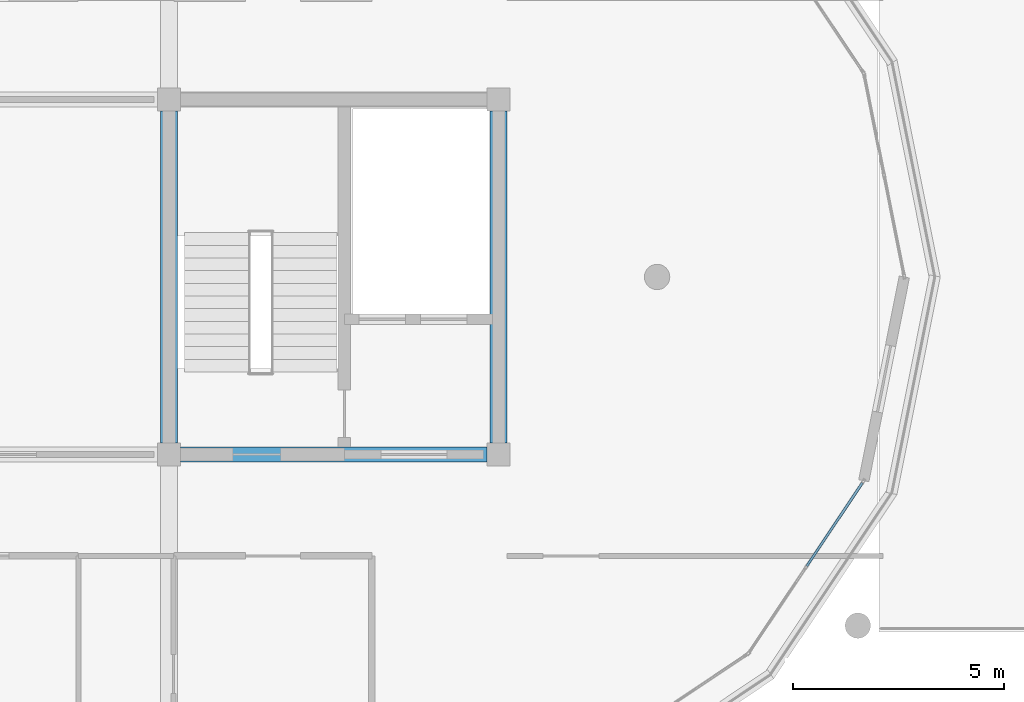
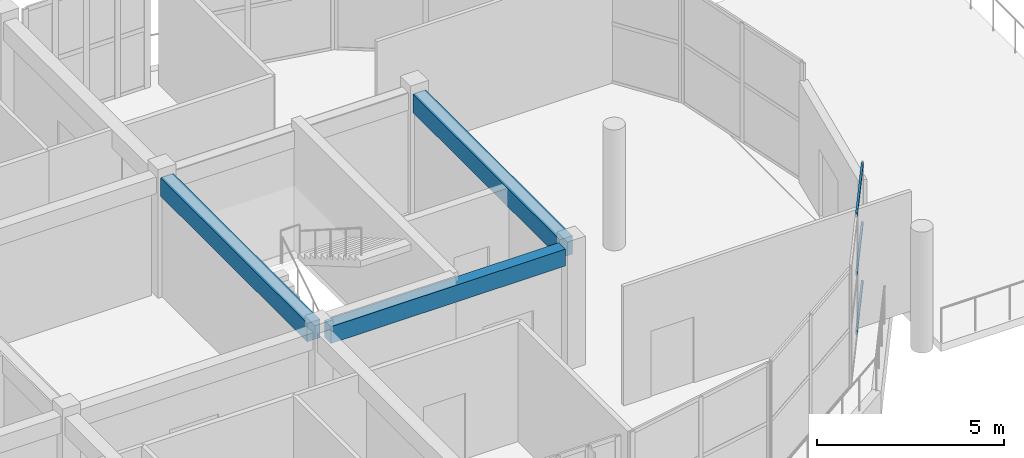
# One storey, part 21 of 44: 3 beams, 3 members, 1 element without a shape of its own.
"""IFC4 building model written with IfcOpenShell, lengths in metres."""

from ifc_helpers import new_model, si_unit, direction, frame, origin, origin_2d, place, context, subcontext, project, spatial, rectangle, hollow_rectangle, extrude, material, layer, layer_set, material_profile, profile_set, type_object, element, aggregate, save


model = new_model("IFC4")

# Units and contexts
model_context = context("Model", 3, precision=1e-05, world=origin(), true_north=direction((0.0, 1.0)))
body_context = subcontext(model_context, "Body", "Model", "MODEL_VIEW")
ifc_project = project(units=[si_unit("LENGTHUNIT", "METRE"), si_unit("AREAUNIT", "SQUARE_METRE"), si_unit("VOLUMEUNIT", "CUBIC_METRE"), si_unit("PLANEANGLEUNIT", "RADIAN"), si_unit("MASSUNIT", "GRAM", prefix="KILO")], contexts=[model_context])

# Site, building, storey
site_placement = place(None, origin())
site = spatial("IfcSite", under=ifc_project, at=site_placement, CompositionType="ELEMENT")
building_placement = place(site_placement, origin())
building = spatial("IfcBuilding", under=site, at=building_placement, Name="Zizhar Promenade General Hospital", CompositionType="ELEMENT")
storey_placement = place(building_placement, frame((0.0, 0.0, 34.800048828125)))
storey = spatial("IfcBuildingStorey", under=building, at=storey_placement, Name="L08", CompositionType="ELEMENT", Elevation=34.800048828125)

# Beams
ifc_material_1 = material(Name="Concrete C35/45", Category="concrete")
ifc_material_profile_1 = material_profile(ifc_material_1, rectangle(XDim=0.35009765625, YDim=0.550048828125, at=origin_2d()))
ifc_profile_set_1 = profile_set([ifc_material_profile_1], Name="Concrete C35/45")
beam_type_1 = type_object("IfcBeamType", Name="BM-RC-350x550", PredefinedType="LINTEL", material=ifc_profile_set_1)
beam_placement = place(storey_placement, frame((93.875, 8.39990234375, 3.635009765625), z_axis=(1.0, 0.0, 0.0), x_axis=(0.0, 1.0, 0.0)))
element("IfcBeam", 1, at=beam_placement, inside=storey, type_object=beam_type_1, Name="Grid Beam X L08 (12-1)", PredefinedType="LINTEL", context=body_context, shape_type="SweptSolid", body=[
    extrude(rectangle(XDim=0.35009765625, YDim=0.550048828125, at=origin_2d()), origin(), (0.0, 0.0, 1.0), 7.25),
])
ifc_material_2 = material(Name="Concrete C35/45", Category="concrete")
ifc_material_profile_2 = material_profile(ifc_material_2, rectangle(XDim=0.39990234375, YDim=0.60009765625, at=origin_2d()))
ifc_profile_set_2 = profile_set([ifc_material_profile_2], Name="Concrete C35/45")
beam_type_2 = type_object("IfcBeamType", Name="BM-RC-400x600", PredefinedType="JOIST", material=ifc_profile_set_2)
for number, where, z_axis, x_axis, name in (
    (2, (93.60009765625, 8.675048828125, 3.60986328125), (0.0, 1.0, 0.0), (-1.0, 0.0, 0.0), "Grid Beam Y L08 (12-1)"),
    (3, (101.39990234375, 8.675048828125, 3.60986328125), (0.0, 1.0, 0.0), (-1.0, 0.0, 0.0), "Grid Beam Y L08 (13-1)"),
):
    element("IfcBeam", number, at=place(storey_placement, frame(where, z_axis=z_axis, x_axis=x_axis)), inside=storey, type_object=beam_type_2, Name=name, PredefinedType="JOIST", context=body_context, shape_type="SweptSolid", body=[
        extrude(rectangle(XDim=0.39990234375, YDim=0.60009765625, at=origin_2d()), origin(), (0.0, 0.0, 1.0), 7.849853515625),
    ])

# Curtain wall, members
ifc_material_3 = material(Name="Anodised aluminium 6063-T6 and low-E glass", Category="aluminium")
ifc_layer = layer(ifc_material_3, 0.159912109375)
ifc_layer_set = layer_set([ifc_layer], Name="Anodised aluminium 6063-T6 and low-E glass")
curtain_wall_type = type_object("IfcCurtainWallType", Name="CW-WARD-ARC", PredefinedType="NOTDEFINED", material=ifc_layer_set)
curtain_wall_placement = place(storey_placement, origin())
curtain_wall = element("IfcCurtainWall", 4, at=curtain_wall_placement, inside=storey, type_object=curtain_wall_type, Name="Ward Semicircular End Glazing L08-03", PredefinedType="NOTDEFINED")
ifc_material_4 = material(Name="Anodised aluminium 6063-T6", Category="aluminium")
ifc_material_profile_3 = material_profile(ifc_material_4, hollow_rectangle(XDim=0.06005859375, YDim=0.1201171875, WallThickness=0.00390625, at=origin_2d()))
ifc_profile_set_3 = profile_set([ifc_material_profile_3], Name="Anodised aluminium 6063-T6")
member_type = type_object("IfcMemberType", Name="CWT-ALU-120x60", PredefinedType="USERDEFINED", material=ifc_profile_set_3)
member_1_placement = place(storey_placement, frame((110.007568359375, 7.728271484375, 0.030029296875), z_axis=(-0.555580160396, -0.831462978956, 0.0), x_axis=(0.831462978956, -0.555580160396, 0.0)))
member_1 = element("IfcMember", 5, at=member_1_placement, type_object=member_type, Name="CW-12 transom 1.1", ObjectType="TRANSOM", PredefinedType="USERDEFINED", context=body_context, shape_type="SweptSolid", body=[
    extrude(hollow_rectangle(XDim=0.06005859375, YDim=0.1201171875, WallThickness=0.00390625, at=origin_2d()), origin(), (0.0, 0.0, 1.0), 2.3681640625),
])
member_2_placement = place(storey_placement, frame((110.007568359375, 7.728271484375, 1.949951171875), z_axis=(-0.555580160396, -0.831462978956, 0.0), x_axis=(0.831462978956, -0.555580160396, 0.0)))
member_2 = element("IfcMember", 6, at=member_2_placement, type_object=member_type, Name="CW-12 transom 1.2", ObjectType="TRANSOM", PredefinedType="USERDEFINED", context=body_context, shape_type="SweptSolid", body=[
    extrude(hollow_rectangle(XDim=0.06005859375, YDim=0.1201171875, WallThickness=0.00390625, at=origin_2d()), origin(), (0.0, 0.0, 1.0), 2.3681640625),
])
member_3_placement = place(storey_placement, frame((110.007568359375, 7.728271484375, 3.869873046875), z_axis=(-0.555580160396, -0.831462978956, 0.0), x_axis=(0.831462978956, -0.555580160396, 0.0)))
member_3 = element("IfcMember", 7, at=member_3_placement, type_object=member_type, Name="CW-12 transom 1.3", ObjectType="TRANSOM", PredefinedType="USERDEFINED", context=body_context, shape_type="SweptSolid", body=[
    extrude(hollow_rectangle(XDim=0.06005859375, YDim=0.1201171875, WallThickness=0.00390625, at=origin_2d()), origin(), (0.0, 0.0, 1.0), 2.3681640625),
])
aggregate(curtain_wall, [member_1, member_2, member_3])

save(model, "model.ifc")
